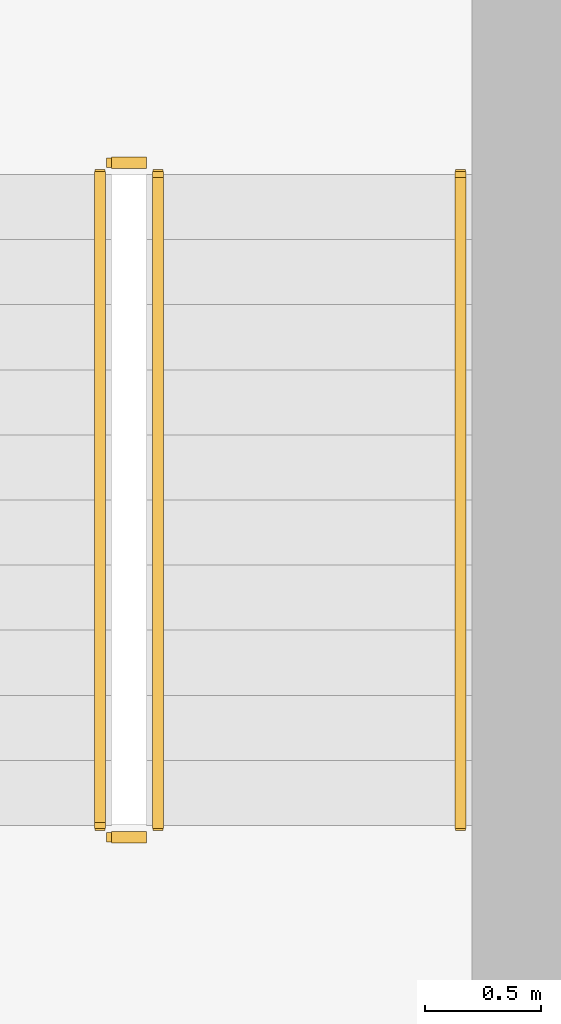
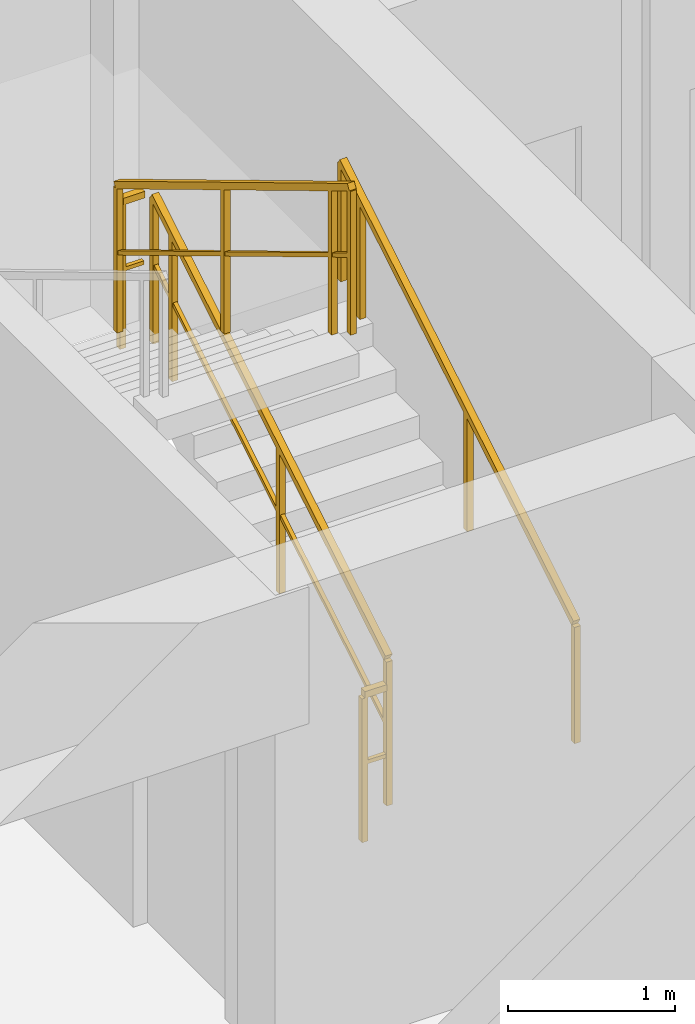
# One storey, part 18 of 20: 5 railings.
"""IFC4 building model written with IfcOpenShell, lengths in metres."""

from ifc_helpers import new_model, si_unit, direction, frame, origin, origin_2d, place, context, subcontext, project, spatial, rectangle, extrude, material, type_object, element, save


model = new_model("IFC4")

# Units and contexts
model_context = context("Model", 3, precision=1e-05, world=origin(), true_north=direction((0.0, 1.0)))
body_context = subcontext(model_context, "Body", "Model", "MODEL_VIEW")
ifc_project = project(units=[si_unit("LENGTHUNIT", "METRE"), si_unit("AREAUNIT", "SQUARE_METRE"), si_unit("VOLUMEUNIT", "CUBIC_METRE"), si_unit("PLANEANGLEUNIT", "RADIAN"), si_unit("MASSUNIT", "GRAM", prefix="KILO")], contexts=[model_context])

# Site, building, storey
site_placement = place(None, origin())
site = spatial("IfcSite", under=ifc_project, at=site_placement, CompositionType="ELEMENT")
building_placement = place(site_placement, origin())
building = spatial("IfcBuilding", under=site, at=building_placement, Name="Kaliganga Portal Commons", CompositionType="ELEMENT")
storey_placement = place(building_placement, frame((0.0, 0.0, 155.0)))
storey = spatial("IfcBuildingStorey", under=building, at=storey_placement, Name="L39", CompositionType="ELEMENT", Elevation=155.0)

# Railings
ifc_material_1 = material(Name="Galvanized Painted Steel Balustrade", Category="steel")
railing_type_1 = type_object("IfcRailingType", Name="RLG-STAIR-GRD", PredefinedType="GUARDRAIL", material=ifc_material_1)
railing_1_placement = place(storey_placement, frame((48.699951171875, 8.699951171875, 0.168212890625)))
element("IfcRailing", 1, at=railing_1_placement, inside=storey, type_object=railing_type_1, Name="L39 ST-B2 stair guard 1", PredefinedType="GUARDRAIL", context=body_context, shape_type="SweptSolid", body=[
    extrude(rectangle(XDim=0.048095703125, YDim=0.048095703125, at=origin_2d()), frame((0.0, 0.0, 1.072021484375), z_axis=(0.0, 0.857242210791, 0.514913383045), x_axis=(-1.0, 0.0, 0.0)), (0.0, 0.0, 1.0), 3.266357421875),
    extrude(rectangle(XDim=0.028076171875, YDim=0.028076171875, at=origin_2d()), frame((0.0, 0.0, 0.572021484375), z_axis=(0.0, 0.857242210791, 0.514913383045), x_axis=(-1.0, 0.0, 0.0)), (0.0, 0.0, 1.0), 3.266357421875),
    extrude(rectangle(XDim=0.0419921875, YDim=0.0419921875, at=origin_2d()), origin(), (0.0, 0.0, 1.0), 1.052001953125),
    extrude(rectangle(XDim=0.0419921875, YDim=0.0419921875, at=origin_2d()), frame((0.0, 1.285888671875, 0.7724609375)), (0.0, 0.0, 1.0), 1.052001953125),
    extrude(rectangle(XDim=0.0419921875, YDim=0.0419921875, at=origin_2d()), frame((0.0, 2.57177734375, 1.544677734375)), (0.0, 0.0, 1.0), 1.052001953125),
    extrude(rectangle(XDim=0.0419921875, YDim=0.0419921875, at=origin_2d()), frame((0.0, 2.800048828125, 1.681884765625)), (0.0, 0.0, 1.0), 1.052001953125),
])
railing_2_placement = place(storey_placement, frame((48.64990234375, 11.550048828125, 1.85009765625)))
element("IfcRailing", 2, at=railing_2_placement, inside=storey, type_object=railing_type_1, Name="L39 ST-B2 stair guard 2", PredefinedType="GUARDRAIL", context=body_context, shape_type="SweptSolid", body=[
    extrude(rectangle(XDim=0.048095703125, YDim=0.048095703125, at=origin_2d()), frame((0.0, 0.0, 1.076171875), z_axis=(-1.0, 0.0, 0.0), x_axis=(0.0, -1.0, 0.0)), (0.0, 0.0, 1.0), 0.14990234375),
    extrude(rectangle(XDim=0.028076171875, YDim=0.028076171875, at=origin_2d()), frame((0.0, 0.0, 0.572021484375), z_axis=(-1.0, 0.0, 0.0), x_axis=(0.0, -1.0, 0.0)), (0.0, 0.0, 1.0), 0.14990234375),
    extrude(rectangle(XDim=0.0419921875, YDim=0.0419921875, at=origin_2d()), frame((-0.14990234375, 0.0, 0.0)), (0.0, 0.0, 1.0), 1.052001953125),
])
railing_3_placement = place(storey_placement, frame((48.449951171875, 11.5, 2.01806640625)))
element("IfcRailing", 3, at=railing_3_placement, inside=storey, type_object=railing_type_1, Name="L39 ST-B2 stair guard 3", PredefinedType="GUARDRAIL", context=body_context, shape_type="SweptSolid", body=[
    extrude(rectangle(XDim=0.048095703125, YDim=0.048095703125, at=origin_2d()), frame((0.0, 0.0, 1.072021484375), z_axis=(0.0, -0.857242210791, 0.514913383045), x_axis=(1.0, 0.0, 0.0)), (0.0, 0.0, 1.0), 3.266357421875),
    extrude(rectangle(XDim=0.028076171875, YDim=0.028076171875, at=origin_2d()), frame((0.0, 0.0, 0.572021484375), z_axis=(0.0, -0.857242210791, 0.514913383045), x_axis=(1.0, 0.0, 0.0)), (0.0, 0.0, 1.0), 3.266357421875),
    extrude(rectangle(XDim=0.0419921875, YDim=0.0419921875, at=origin_2d()), origin(), (0.0, 0.0, 1.0), 1.052001953125),
    extrude(rectangle(XDim=0.0419921875, YDim=0.0419921875, at=origin_2d()), frame((0.0, -1.285888671875, 0.7724609375)), (0.0, 0.0, 1.0), 1.052001953125),
    extrude(rectangle(XDim=0.0419921875, YDim=0.0419921875, at=origin_2d()), frame((0.0, -2.57177734375, 1.544677734375)), (0.0, 0.0, 1.0), 1.052001953125),
    extrude(rectangle(XDim=0.0419921875, YDim=0.0419921875, at=origin_2d()), frame((0.0, -2.800048828125, 1.681884765625)), (0.0, 0.0, 1.0), 1.052001953125),
])
railing_4_placement = place(storey_placement, frame((48.64990234375, 8.64990234375, 0.0)))
element("IfcRailing", 4, at=railing_4_placement, inside=storey, type_object=railing_type_1, Name="L39 ST-B2 stair guard 4", PredefinedType="GUARDRAIL", context=body_context, shape_type="SweptSolid", body=[
    extrude(rectangle(XDim=0.048095703125, YDim=0.048095703125, at=origin_2d()), frame((0.0, 0.0, 1.076171875), z_axis=(-1.0, 0.0, 0.0), x_axis=(0.0, -1.0, 0.0)), (0.0, 0.0, 1.0), 0.14990234375),
    extrude(rectangle(XDim=0.028076171875, YDim=0.028076171875, at=origin_2d()), frame((0.0, 0.0, 0.572021484375), z_axis=(-1.0, 0.0, 0.0), x_axis=(0.0, -1.0, 0.0)), (0.0, 0.0, 1.0), 0.14990234375),
    extrude(rectangle(XDim=0.0419921875, YDim=0.0419921875, at=origin_2d()), frame((-0.14990234375, 0.0, 0.0)), (0.0, 0.0, 1.0), 1.052001953125),
])
ifc_material_2 = material(Name="Brushed Stainless Steel 316", Category="steel")
railing_type_2 = type_object("IfcRailingType", Name="RLG-STAIR-HR", PredefinedType="HANDRAIL", material=ifc_material_2)
railing_5_placement = place(storey_placement, frame((50.0, 8.699951171875, 0.168212890625)))
element("IfcRailing", 5, at=railing_5_placement, inside=storey, type_object=railing_type_2, Name="L39 ST-B2 stair handrail 1", PredefinedType="HANDRAIL", context=body_context, shape_type="SweptSolid", body=[
    extrude(rectangle(XDim=0.048095703125, YDim=0.048095703125, at=origin_2d()), frame((0.0, 0.0, 0.871826171875), z_axis=(0.0, 0.857242210791, 0.514913383045), x_axis=(-1.0, 0.0, 0.0)), (0.0, 0.0, 1.0), 3.266357421875),
    extrude(rectangle(XDim=0.0419921875, YDim=0.0419921875, at=origin_2d()), origin(), (0.0, 0.0, 1.0), 0.851806640625),
    extrude(rectangle(XDim=0.0419921875, YDim=0.0419921875, at=origin_2d()), frame((0.0, 1.285888671875, 0.7724609375)), (0.0, 0.0, 1.0), 0.851806640625),
    extrude(rectangle(XDim=0.0419921875, YDim=0.0419921875, at=origin_2d()), frame((0.0, 2.57177734375, 1.544677734375)), (0.0, 0.0, 1.0), 0.851806640625),
    extrude(rectangle(XDim=0.0419921875, YDim=0.0419921875, at=origin_2d()), frame((0.0, 2.800048828125, 1.681884765625)), (0.0, 0.0, 1.0), 0.851806640625),
])

save(model, "model.ifc")
